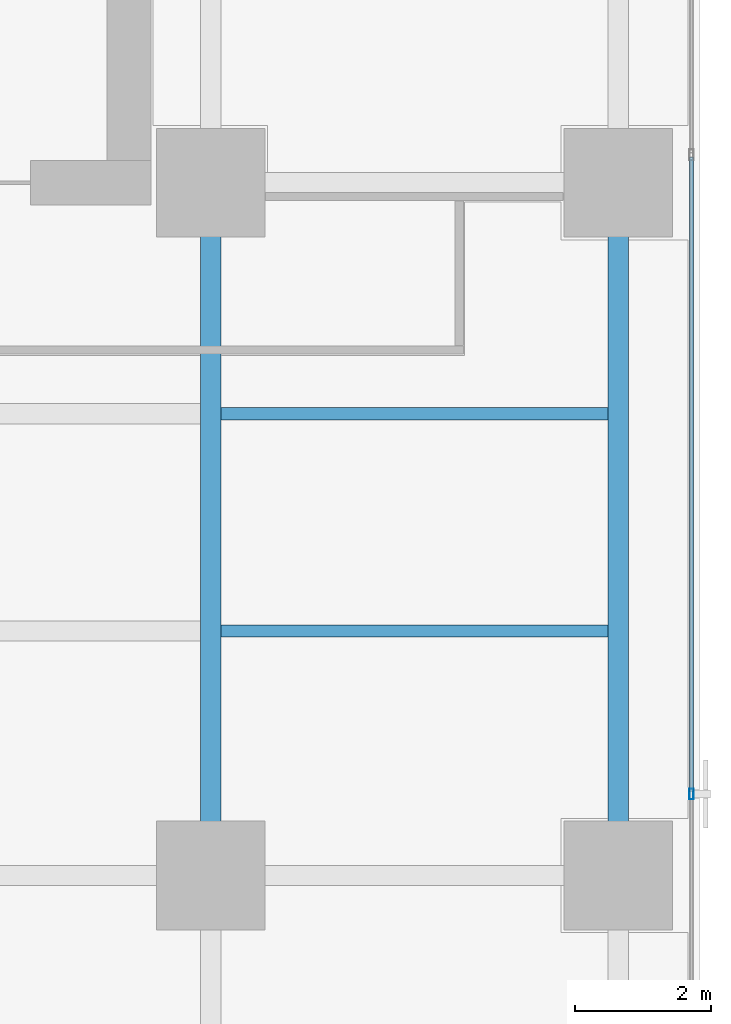
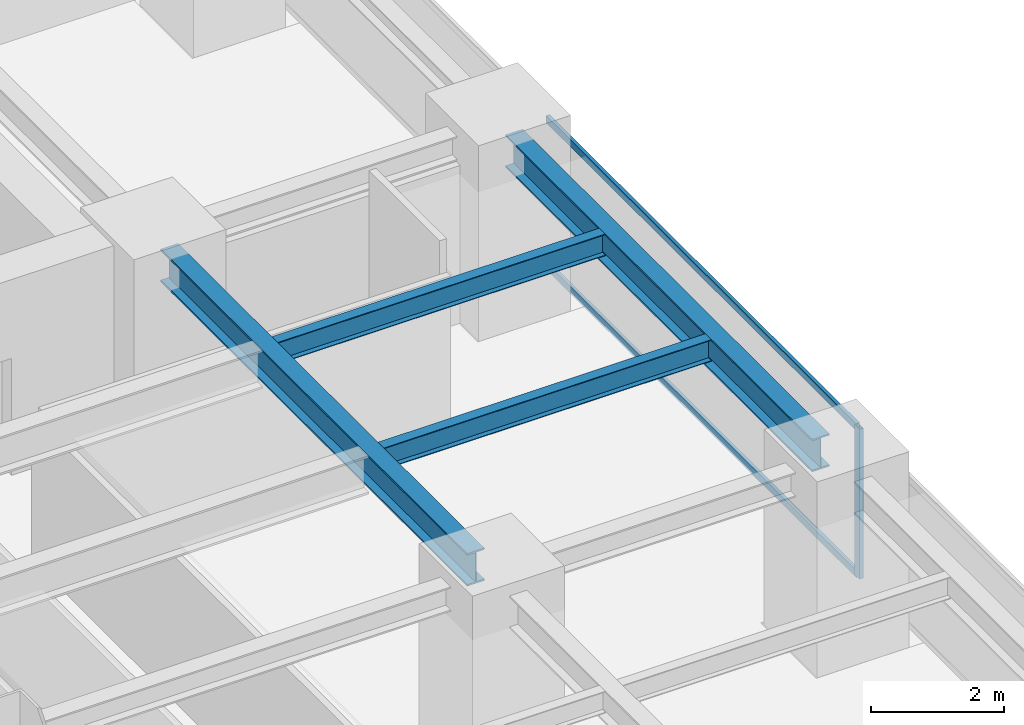
# One storey, part 13 of 27: 4 beams, 3 members, 1 element without a shape of its own.
"""IFC4 building model written with IfcOpenShell, lengths in metres."""

from ifc_helpers import new_model, si_unit, direction, frame, origin, origin_2d, place, context, subcontext, project, spatial, hollow_rectangle, i_section, extrude, source, transform, mapped, material, layer, layer_set, material_profile, profile_set, type_object, element, aggregate, save


model = new_model("IFC4")

# Units and contexts
model_context = context("Model", 3, precision=1e-05, world=origin(), true_north=direction((0.0, 1.0)))
body_context = subcontext(model_context, "Body", "Model", "MODEL_VIEW")
ifc_project = project(units=[si_unit("LENGTHUNIT", "METRE"), si_unit("AREAUNIT", "SQUARE_METRE"), si_unit("VOLUMEUNIT", "CUBIC_METRE"), si_unit("PLANEANGLEUNIT", "RADIAN"), si_unit("MASSUNIT", "GRAM", prefix="KILO")], contexts=[model_context])

# Site, building, storey
site_placement = place(None, origin())
site = spatial("IfcSite", under=ifc_project, at=site_placement, CompositionType="ELEMENT")
building_placement = place(site_placement, origin())
building = spatial("IfcBuilding", under=site, at=building_placement, Name="Sumidabori Civic Tower", CompositionType="ELEMENT")
storey_placement = place(building_placement, frame((0.0, 0.0, 142.39990234375)))
storey = spatial("IfcBuildingStorey", under=building, at=storey_placement, Name="L36", CompositionType="ELEMENT", Elevation=142.39990234375)

# Beams
ifc_material_1 = material(Name="Steel SN490", Category="steel")
ifc_material_profile_1 = material_profile(ifc_material_1, i_section(OverallWidth=0.300048828125, OverallDepth=0.60009765625, WebThickness=0.015380859375, FlangeThickness=0.030029296875, at=origin_2d()), Name="HE 600 B")
ifc_profile_set_1 = profile_set([ifc_material_profile_1], Name="Steel SN490")
beam_type_1 = type_object("IfcBeamType", Name="BM-GIRD-600", PredefinedType="BEAM", material=ifc_profile_set_1)
shared_shape_1 = source(origin(), body_context, "Body", "SweptSolid", [
    extrude(i_section(OverallWidth=0.300048828125, OverallDepth=0.60009765625, WebThickness=0.015380859375, FlangeThickness=0.030029296875, at=origin_2d()), origin(), (0.0, 0.0, 1.0), 9.239990234375),
])
for number, where, z_axis, x_axis, name in (
    (1, (16.800048828125, 0.47998046875, 3.080078125), (0.0, 1.0, 0.0), (-1.0, 0.0, 0.0), "Primary Girder L36 GY-34"),
    (2, (22.800048828125, 0.47998046875, 3.080078125), (0.0, 1.0, 0.0), (-1.0, 0.0, 0.0), "Primary Girder L36 GY-37"),
):
    element("IfcBeam", number, at=place(storey_placement, frame(where, z_axis=z_axis, x_axis=x_axis)), inside=storey, type_object=beam_type_1, Name=name, PredefinedType="BEAM", context=body_context, shape_type="MappedRepresentation", body=[
        mapped(shared_shape_1, transform((0.0, 0.0, 0.0), x_axis=(1.0, 0.0, 0.0), y_axis=(0.0, 1.0, 0.0), z_axis=(0.0, 0.0, 1.0), scale=1.0)),
    ])
ifc_material_profile_2 = material_profile(ifc_material_1, i_section(OverallWidth=0.179931640625, OverallDepth=0.39990234375, WebThickness=0.008544921875, FlangeThickness=0.013427734375, at=origin_2d()), Name="IPE 400")
ifc_profile_set_2 = profile_set([ifc_material_profile_2], Name="Steel SN490")
beam_type_2 = type_object("IfcBeamType", Name="BM-JST-400", PredefinedType="JOIST", material=ifc_profile_set_2)
shared_shape_2 = source(origin(), body_context, "Body", "SweptSolid", [
    extrude(i_section(OverallWidth=0.179931640625, OverallDepth=0.39990234375, WebThickness=0.008544921875, FlangeThickness=0.013427734375, at=origin_2d()), origin(), (0.0, 0.0, 1.0), 5.699951171875),
])
for number, where, z_axis, x_axis, name in (
    (3, (16.949951171875, 3.60009765625, 3.18017578125), (1.0, 0.0, 0.0), (0.0, 1.0, 0.0), "Outer Bay Floor Joist L36 JSTO-44"),
    (4, (16.949951171875, 6.800048828125, 3.18017578125), (1.0, 0.0, 0.0), (0.0, 1.0, 0.0), "Outer Bay Floor Joist L36 JSTO-46"),
):
    element("IfcBeam", number, at=place(storey_placement, frame(where, z_axis=z_axis, x_axis=x_axis)), inside=storey, type_object=beam_type_2, Name=name, PredefinedType="JOIST", context=body_context, shape_type="MappedRepresentation", body=[
        mapped(shared_shape_2, transform((0.0, 0.0, 0.0), x_axis=(1.0, 0.0, 0.0), y_axis=(0.0, 1.0, 0.0), z_axis=(0.0, 0.0, 1.0), scale=1.0)),
    ])

# Curtain wall, members
ifc_material_2 = material(Name="Anodised Bronze Aluminium AW-6063-T6", Category="aluminium")
ifc_layer = layer(ifc_material_2, 0.179931640625, Name="Anodised Bronze Aluminium AW-6063-T6")
ifc_layer_set = layer_set([ifc_layer], Name="Anodised Bronze Aluminium AW-6063-T6")
curtain_wall_type = type_object("IfcCurtainWallType", Name="CW-SYS-3", PredefinedType="NOTDEFINED", material=ifc_layer_set)
curtain_wall_placement = place(storey_placement, origin())
curtain_wall = element("IfcCurtainWall", 5, at=curtain_wall_placement, inside=storey, type_object=curtain_wall_type, Name="Curtain Wall CW:L36:R04", PredefinedType="NOTDEFINED")
ifc_material_profile_3 = material_profile(ifc_material_2, hollow_rectangle(XDim=0.06494140625, YDim=0.159912109375, WallThickness=0.0048828125, at=origin_2d()), Name="ALU MULLION 160x65")
ifc_profile_set_3 = profile_set([ifc_material_profile_3], Name="Anodised Bronze Aluminium AW-6063-T6")
member_type_1 = type_object("IfcMemberType", Name="CW-MUL-160", PredefinedType="MULLION", material=ifc_profile_set_3)
shared_shape_3 = source(origin(), body_context, "Body", "SweptSolid", [
    extrude(hollow_rectangle(XDim=0.06494140625, YDim=0.159912109375, WallThickness=0.0048828125, at=origin_2d()), origin(), (0.0, 0.0, 1.0), 2.760009765625),
])
member_1_placement = place(storey_placement, frame((23.8798828125, 1.199951171875, 0.0), z_axis=(0.0, 0.0, 1.0), x_axis=(-1.0, 0.0, 0.0)))
member_1 = element("IfcMember", 6, at=member_1_placement, type_object=member_type_1, Name="CW-3 mullion 3", PredefinedType="MULLION", context=body_context, shape_type="MappedRepresentation", body=[
    mapped(shared_shape_3, transform((0.0, 0.0, 0.0), x_axis=(1.0, 0.0, 0.0), y_axis=(0.0, 1.0, 0.0), z_axis=(0.0, 0.0, 1.0), scale=1.0)),
])
ifc_material_profile_4 = material_profile(ifc_material_2, hollow_rectangle(XDim=0.06005859375, YDim=0.1298828125, WallThickness=0.0048828125, at=origin_2d()), Name="ALU TRANSOM 130x60")
ifc_profile_set_4 = profile_set([ifc_material_profile_4], Name="Anodised Bronze Aluminium AW-6063-T6")
member_type_2 = type_object("IfcMemberType", Name="CW-TRN-130", PredefinedType="USERDEFINED", material=ifc_profile_set_4)
shared_shape_4 = source(origin(), body_context, "Body", "SweptSolid", [
    extrude(hollow_rectangle(XDim=0.06005859375, YDim=0.1298828125, WallThickness=0.0048828125, at=origin_2d()), origin(), (0.0, 0.0, 1.0), 9.344970703125),
])
member_2_placement = place(storey_placement, frame((23.8798828125, 1.232421875, 0.030029296875), z_axis=(0.0, 1.0, 0.0), x_axis=(-1.0, 0.0, 0.0)))
member_2 = element("IfcMember", 7, at=member_2_placement, type_object=member_type_2, Name="CW-3 transom 3.1", ObjectType="TRANSOM", PredefinedType="USERDEFINED", context=body_context, shape_type="MappedRepresentation", body=[
    mapped(shared_shape_4, transform((0.0, 0.0, 0.0), x_axis=(1.0, 0.0, 0.0), y_axis=(0.0, 1.0, 0.0), z_axis=(0.0, 0.0, 1.0), scale=1.0)),
])
member_3_placement = place(storey_placement, frame((23.8798828125, 1.232421875, 2.72998046875), z_axis=(0.0, 1.0, 0.0), x_axis=(-1.0, 0.0, 0.0)))
member_3 = element("IfcMember", 8, at=member_3_placement, type_object=member_type_2, Name="CW-3 transom 3.2", ObjectType="TRANSOM", PredefinedType="USERDEFINED", context=body_context, shape_type="MappedRepresentation", body=[
    mapped(shared_shape_4, transform((0.0, 0.0, 0.0), x_axis=(1.0, 0.0, 0.0), y_axis=(0.0, 1.0, 0.0), z_axis=(0.0, 0.0, 1.0), scale=1.0)),
])
aggregate(curtain_wall, [member_1, member_2, member_3])

save(model, "model.ifc")
